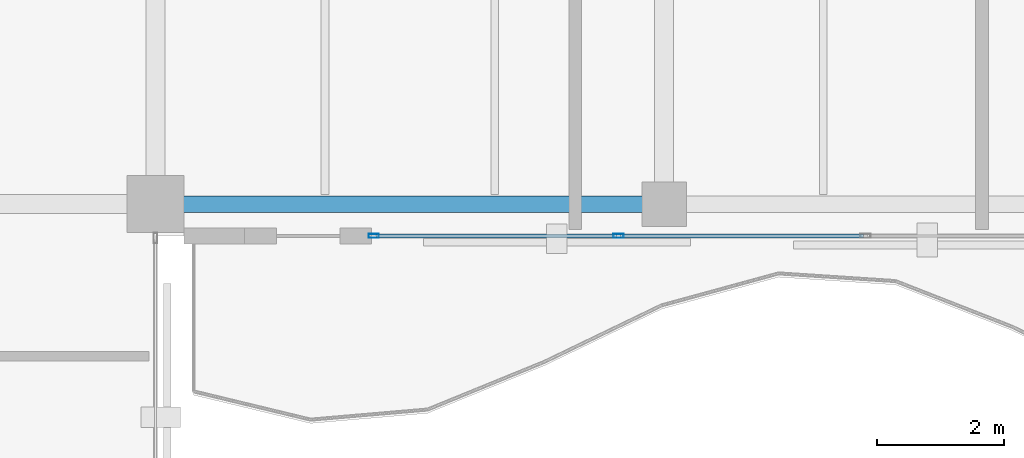
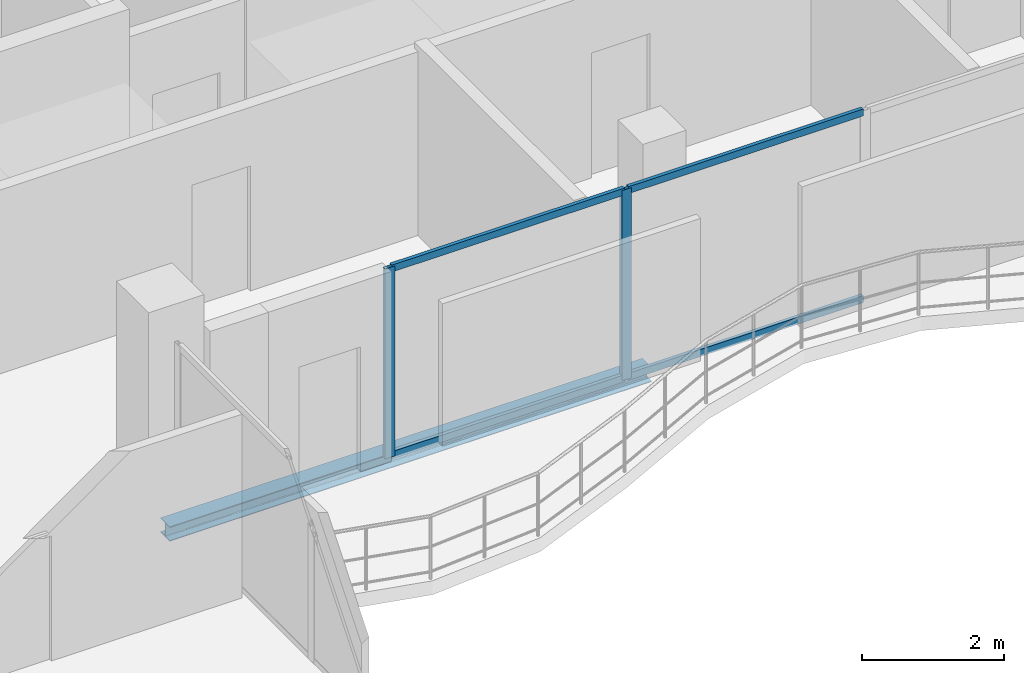
# One storey, part 5 of 17: 6 members, 1 beam, 1 element without a shape of its own.
"""IFC4 building model written with IfcOpenShell, lengths in metres."""

from ifc_helpers import new_model, si_unit, direction, frame, origin, origin_2d, place, context, subcontext, project, spatial, hollow_rectangle, i_section, extrude, material, layer, layer_set, material_profile, profile_set, type_object, element, aggregate, save


model = new_model("IFC4")

# Units and contexts
model_context = context("Model", 3, precision=1e-05, world=origin(), true_north=direction((0.0, 1.0)))
body_context = subcontext(model_context, "Body", "Model", "MODEL_VIEW")
ifc_project = project(units=[si_unit("LENGTHUNIT", "METRE"), si_unit("AREAUNIT", "SQUARE_METRE"), si_unit("VOLUMEUNIT", "CUBIC_METRE"), si_unit("PLANEANGLEUNIT", "RADIAN"), si_unit("MASSUNIT", "GRAM", prefix="KILO")], contexts=[model_context])

# Site, building, storey
site_placement = place(None, origin())
site = spatial("IfcSite", under=ifc_project, at=site_placement, CompositionType="ELEMENT")
building_placement = place(site_placement, origin())
building = spatial("IfcBuilding", under=site, at=building_placement, Name="Catumbela Crestline Tower", CompositionType="ELEMENT")
storey_placement = place(building_placement, frame((0.0, 0.0, 279.2)))
storey = spatial("IfcBuildingStorey", under=building, at=storey_placement, Name="L72", CompositionType="ELEMENT", Elevation=279.2)

# Curtain wall, members
ifc_material_1 = material(Name="Aluminium alloy AW-6060-T66", Category="aluminium")
ifc_layer = layer(ifc_material_1, 0.18, Name="Aluminium alloy AW-6060-T66")
ifc_layer_set = layer_set([ifc_layer], Name="Aluminium alloy AW-6060-T66")
curtain_wall_type = type_object("IfcCurtainWallType", Name="CWU-Z4", PredefinedType="USERDEFINED", material=ifc_layer_set)
curtain_wall_placement = place(storey_placement, origin())
curtain_wall = element("IfcCurtainWall", 1, at=curtain_wall_placement, inside=storey, type_object=curtain_wall_type, Name="L72 Unitised Curtain Wall CW-L72-E3S2", ObjectType="UNITISED", PredefinedType="USERDEFINED")
ifc_material_profile_1 = material_profile(ifc_material_1, hollow_rectangle(XDim=0.06, YDim=0.16, WallThickness=0.004, at=origin_2d()), Name="ALU 160x60x4")
ifc_profile_set_1 = profile_set([ifc_material_profile_1], Name="Aluminium alloy AW-6060-T66")
member_type_1 = type_object("IfcMemberType", Name="MUL-160X60", PredefinedType="MULLION", material=ifc_profile_set_1)
member_1_placement = place(storey_placement, frame((27.4325, 24.0, 0.0), z_axis=(0.0, 0.0, 1.0), x_axis=(0.0, 1.0, 0.0)))
member_1 = element("IfcMember", 2, at=member_1_placement, type_object=member_type_1, Name="CWU-Z4 mullion 1", PredefinedType="MULLION", context=body_context, shape_type="SweptSolid", body=[
    extrude(hollow_rectangle(XDim=0.06, YDim=0.16, WallThickness=0.004, at=origin_2d()), origin(), (0.0, 0.0, 1.0), 3.27),
])
member_2_placement = place(storey_placement, frame((31.2833, 24.0, 0.0), z_axis=(0.0, 0.0, 1.0), x_axis=(0.0, 1.0, 0.0)))
member_2 = element("IfcMember", 3, at=member_2_placement, type_object=member_type_1, Name="CWU-Z4 mullion 2", PredefinedType="MULLION", context=body_context, shape_type="SweptSolid", body=[
    extrude(hollow_rectangle(XDim=0.06, YDim=0.16, WallThickness=0.004, at=origin_2d()), origin(), (0.0, 0.0, 1.0), 3.27),
])

# Beam
ifc_material_2 = material(Name="Structural steel S355J2", Category="steel")
ifc_material_profile_2 = material_profile(ifc_material_2, i_section(OverallWidth=0.26, OverallDepth=0.25, WebThickness=0.0075, FlangeThickness=0.0125, FilletRadius=0.024, at=origin_2d()), Name="HEA 260")
ifc_profile_set_2 = profile_set([ifc_material_profile_2], Name="Structural steel S355J2")
beam_type = type_object("IfcBeamType", Name="BS-HEA260", PredefinedType="SPANDREL", material=ifc_profile_set_2)
beam_placement = place(storey_placement, frame((24.08, 24.5, -0.385), z_axis=(1.0, 0.0, 0.0), x_axis=(0.0, 1.0, 0.0)))
element("IfcBeam", 4, at=beam_placement, inside=storey, type_object=beam_type, Name="L72 Spandrel SP-L72-S02", PredefinedType="SPANDREL", context=body_context, shape_type="SweptSolid", body=[
    extrude(i_section(OverallWidth=0.26, OverallDepth=0.25, WebThickness=0.0075, FlangeThickness=0.0125, FilletRadius=0.024, at=origin_2d()), origin(), (0.0, 0.0, 1.0), 7.84),
])

# Member
ifc_material_profile_3 = material_profile(ifc_material_1, hollow_rectangle(XDim=0.06, YDim=0.12, WallThickness=0.0035, at=origin_2d()), Name="ALU 120x60x3.5")
ifc_profile_set_3 = profile_set([ifc_material_profile_3], Name="Aluminium alloy AW-6060-T66")
member_type_2 = type_object("IfcMemberType", Name="TRN-120X60", PredefinedType="USERDEFINED", material=ifc_profile_set_3)
member_3_placement = place(storey_placement, frame((27.465, 24.0, 0.03), z_axis=(1.0, 0.0, 0.0), x_axis=(0.0, 1.0, 0.0)))
member_3 = element("IfcMember", 5, at=member_3_placement, type_object=member_type_2, Name="CWU-Z4 transom 1.1", ObjectType="TRANSOM", PredefinedType="USERDEFINED", context=body_context, shape_type="SweptSolid", body=[
    extrude(hollow_rectangle(XDim=0.06, YDim=0.12, WallThickness=0.0035, at=origin_2d()), origin(), (0.0, 0.0, 1.0), 3.7858),
])

member_4_placement = place(storey_placement, frame((27.465, 24.0, 3.24), z_axis=(1.0, 0.0, 0.0), x_axis=(0.0, 1.0, 0.0)))
member_4 = element("IfcMember", 6, at=member_4_placement, type_object=member_type_2, Name="CWU-Z4 transom 1.2", ObjectType="TRANSOM", PredefinedType="USERDEFINED", context=body_context, shape_type="SweptSolid", body=[
    extrude(hollow_rectangle(XDim=0.06, YDim=0.12, WallThickness=0.0035, at=origin_2d()), origin(), (0.0, 0.0, 1.0), 3.7858),
])

member_5_placement = place(storey_placement, frame((31.3158, 24.0, 0.03), z_axis=(1.0, 0.0, 0.0), x_axis=(0.0, 1.0, 0.0)))
member_5 = element("IfcMember", 7, at=member_5_placement, type_object=member_type_2, Name="CWU-Z4 transom 2.1", ObjectType="TRANSOM", PredefinedType="USERDEFINED", context=body_context, shape_type="SweptSolid", body=[
    extrude(hollow_rectangle(XDim=0.06, YDim=0.12, WallThickness=0.0035, at=origin_2d()), origin(), (0.0, 0.0, 1.0), 3.8184),
])

member_6_placement = place(storey_placement, frame((31.3158, 24.0, 3.24), z_axis=(1.0, 0.0, 0.0), x_axis=(0.0, 1.0, 0.0)))
member_6 = element("IfcMember", 8, at=member_6_placement, type_object=member_type_2, Name="CWU-Z4 transom 2.2", ObjectType="TRANSOM", PredefinedType="USERDEFINED", context=body_context, shape_type="SweptSolid", body=[
    extrude(hollow_rectangle(XDim=0.06, YDim=0.12, WallThickness=0.0035, at=origin_2d()), origin(), (0.0, 0.0, 1.0), 3.8184),
])

aggregate(curtain_wall, [member_1, member_2, member_3, member_4, member_5, member_6])

save(model, "model.ifc")
